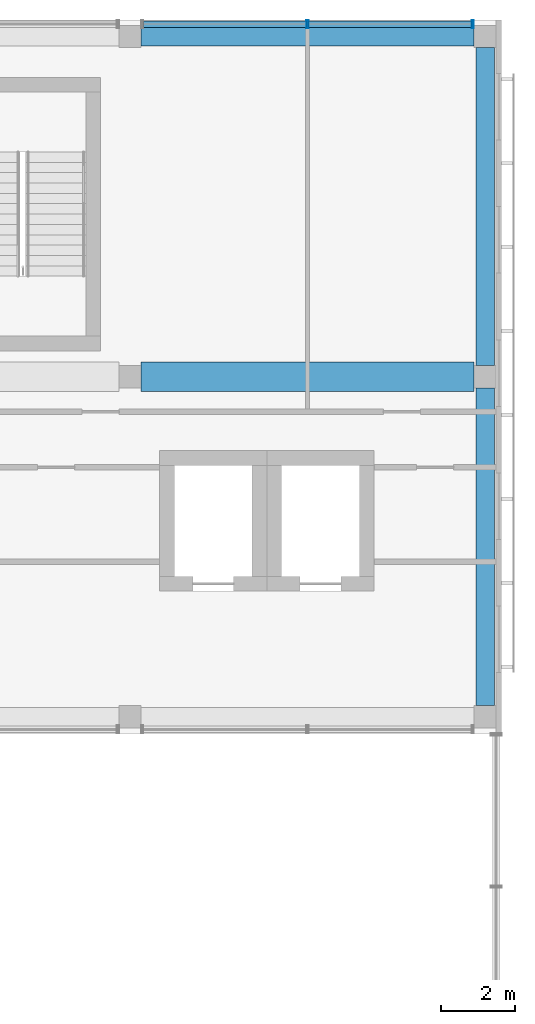
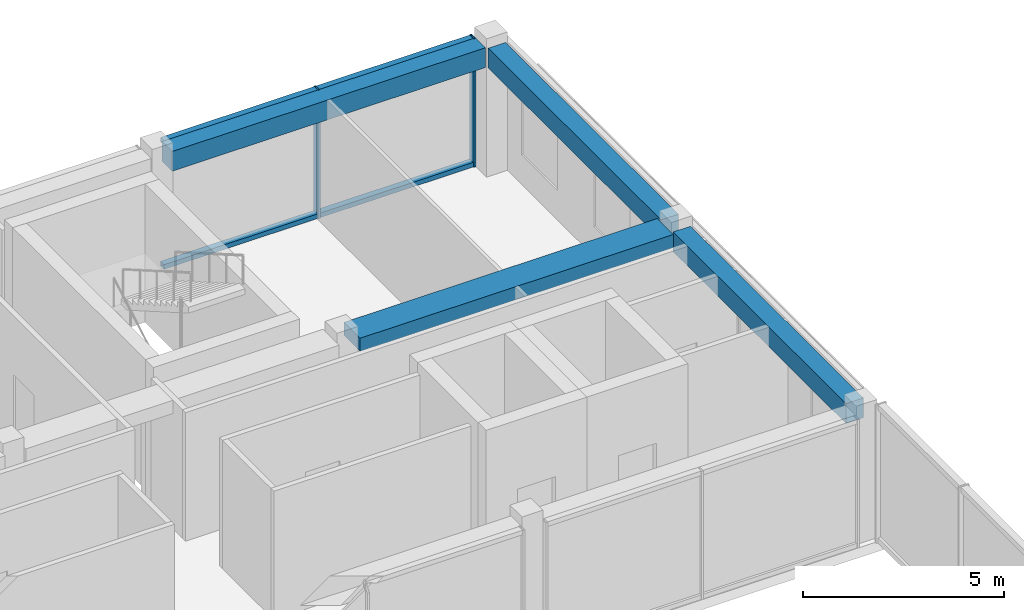
# One storey, part 17 of 28: 6 members, 4 beams, 1 element without a shape of its own.
"""IFC4 building model written with IfcOpenShell, lengths in metres."""

from ifc_helpers import new_model, si_unit, direction, frame, origin, origin_2d, place, context, subcontext, project, spatial, rectangle, hollow_rectangle, extrude, material, layer, layer_set, material_profile, profile_set, type_object, element, aggregate, save


model = new_model("IFC4")

# Units and contexts
model_context = context("Model", 3, precision=1e-05, world=origin(), true_north=direction((0.0, 1.0)))
body_context = subcontext(model_context, "Body", "Model", "MODEL_VIEW")
ifc_project = project(units=[si_unit("LENGTHUNIT", "METRE"), si_unit("AREAUNIT", "SQUARE_METRE"), si_unit("VOLUMEUNIT", "CUBIC_METRE"), si_unit("PLANEANGLEUNIT", "RADIAN"), si_unit("MASSUNIT", "GRAM", prefix="KILO")], contexts=[model_context])

# Site, building, storey
site_placement = place(None, origin())
site = spatial("IfcSite", under=ifc_project, at=site_placement, CompositionType="ELEMENT")
building_placement = place(site_placement, origin())
building = spatial("IfcBuilding", under=site, at=building_placement, Name="Nzadi Deep Aquarium and Research Tower", CompositionType="ELEMENT")
storey_placement = place(building_placement, frame((0.0, 0.0, 73.89990234375)))
storey = spatial("IfcBuildingStorey", under=building, at=storey_placement, Name="L15", CompositionType="ELEMENT", Elevation=73.89990234375)

# Curtain wall, members
ifc_material_1 = material(Name="Aluminium unitised frame deep", Category="aluminium")
ifc_layer = layer(ifc_material_1, 0.22509765625)
ifc_layer_set = layer_set([ifc_layer], Name="Aluminium unitised frame deep")
curtain_wall_type = type_object("IfcCurtainWallType", Name="Curtain wall Unitised Deep 225", PredefinedType="NOTDEFINED", material=ifc_layer_set)
curtain_wall_placement = place(storey_placement, origin())
curtain_wall = element("IfcCurtainWall", 1, at=curtain_wall_placement, inside=storey, type_object=curtain_wall_type, Name="Unitised curtain wall blade B north L15", PredefinedType="NOTDEFINED")
ifc_material_2 = material(Name="Aluminium unitised frame deep", Category="aluminium")
ifc_material_profile_1 = material_profile(ifc_material_2, hollow_rectangle(XDim=0.22509765625, YDim=0.06005859375, WallThickness=0.0048828125, at=origin_2d()))
ifc_profile_set_1 = profile_set([ifc_material_profile_1], Name="Aluminium unitised frame deep")
member_type_1 = type_object("IfcMemberType", Name="Mullion 60x225 Unitised Deep", PredefinedType="MULLION", material=ifc_profile_set_1)
member_1_placement = place(storey_placement, frame((33.60009765625, 46.33740234375, 0.0), z_axis=(0.0, 0.0, 1.0), x_axis=(0.0, 1.0, 0.0)))
member_1 = element("IfcMember", 2, at=member_1_placement, type_object=member_type_1, Name="CW191 mullion 2", PredefinedType="MULLION", context=body_context, shape_type="SweptSolid", body=[
    extrude(hollow_rectangle(XDim=0.22509765625, YDim=0.06005859375, WallThickness=0.0048828125, at=origin_2d()), origin(), (0.0, 0.0, 1.0), 3.900146484375),
])
member_2_placement = place(storey_placement, frame((38.070068359375, 46.33740234375, 0.0), z_axis=(0.0, 0.0, 1.0), x_axis=(0.0, 1.0, 0.0)))
member_2 = element("IfcMember", 3, at=member_2_placement, type_object=member_type_1, Name="CW191 mullion 3", PredefinedType="MULLION", context=body_context, shape_type="SweptSolid", body=[
    extrude(hollow_rectangle(XDim=0.22509765625, YDim=0.06005859375, WallThickness=0.0048828125, at=origin_2d()), origin(), (0.0, 0.0, 1.0), 3.900146484375),
])

# Beams
ifc_material_3 = material(Name="Concrete C35/45", Category="concrete")
ifc_material_profile_2 = material_profile(ifc_material_3, rectangle(XDim=0.5, YDim=0.60009765625, at=origin_2d()))
ifc_profile_set_2 = profile_set([ifc_material_profile_2], Name="Concrete C35/45")
beam_type_1 = type_object("IfcBeamType", Name="RC 500x600", PredefinedType="BEAM", material=ifc_profile_set_2)
beam_1_placement = place(storey_placement, frame((29.10009765625, 46.0, 3.60009765625), z_axis=(1.0, 0.0, 0.0), x_axis=(0.0, 1.0, 0.0)))
element("IfcBeam", 4, at=beam_1_placement, inside=storey, type_object=beam_type_1, Name="B-Z1-L15-L6-4", PredefinedType="BEAM", context=body_context, shape_type="SweptSolid", body=[
    extrude(rectangle(XDim=0.5, YDim=0.60009765625, at=origin_2d()), origin(), (0.0, 0.0, 1.0), 9.0),
])
beam_2_placement = place(storey_placement, frame((38.39990234375, 27.89990234375, 3.60009765625), z_axis=(0.0, 1.0, 0.0), x_axis=(-1.0, 0.0, 0.0)))
element("IfcBeam", 5, at=beam_2_placement, inside=storey, type_object=beam_type_1, Name="B-Z1-L15-CE-1-4", PredefinedType="BEAM", context=body_context, shape_type="SweptSolid", body=[
    extrude(rectangle(XDim=0.5, YDim=0.60009765625, at=origin_2d()), origin(), (0.0, 0.0, 1.0), 8.60009765625),
])
beam_3_placement = place(storey_placement, frame((38.39990234375, 37.10009765625, 3.60009765625), z_axis=(0.0, 1.0, 0.0), x_axis=(-1.0, 0.0, 0.0)))
element("IfcBeam", 6, at=beam_3_placement, inside=storey, type_object=beam_type_1, Name="B-Z1-L15-CE-2-4", PredefinedType="BEAM", context=body_context, shape_type="SweptSolid", body=[
    extrude(rectangle(XDim=0.5, YDim=0.60009765625, at=origin_2d()), origin(), (0.0, 0.0, 1.0), 8.599853515625),
])
ifc_material_4 = material(Name="Concrete C35/45", Category="concrete")
ifc_material_profile_3 = material_profile(ifc_material_4, rectangle(XDim=0.800048828125, YDim=0.39990234375, at=origin_2d()))
ifc_profile_set_3 = profile_set([ifc_material_profile_3], Name="Concrete C35/45")
beam_type_2 = type_object("IfcBeamType", Name="RC 800x400", PredefinedType="BEAM", material=ifc_profile_set_3)
beam_4_placement = place(storey_placement, frame((29.10009765625, 36.800048828125, 3.7001953125), z_axis=(1.0, 0.0, 0.0), x_axis=(0.0, 1.0, 0.0)))
element("IfcBeam", 7, at=beam_4_placement, inside=storey, type_object=beam_type_2, Name="B-Z1-L15-L5-4", PredefinedType="BEAM", context=body_context, shape_type="SweptSolid", body=[
    extrude(rectangle(XDim=0.800048828125, YDim=0.39990234375, at=origin_2d()), origin(), (0.0, 0.0, 1.0), 9.0),
])

# Member
ifc_material_5 = material(Name="Aluminium unitised frame deep", Category="aluminium")
ifc_material_profile_4 = material_profile(ifc_material_5, hollow_rectangle(XDim=0.179931640625, YDim=0.139892578125, WallThickness=0.0048828125, at=origin_2d()))
ifc_profile_set_4 = profile_set([ifc_material_profile_4], Name="Aluminium unitised frame deep")
member_type_2 = type_object("IfcMemberType", Name="Transom 140x180 Unitised Deep", PredefinedType="MULLION", material=ifc_profile_set_4)
member_3_placement = place(storey_placement, frame((29.159912109375, 46.33740234375, 0.070068359375), z_axis=(1.0, 0.0, 0.0), x_axis=(0.0, 1.0, 0.0)))
member_3 = element("IfcMember", 8, at=member_3_placement, type_object=member_type_2, Name="CW191 transom 1.1", PredefinedType="MULLION", context=body_context, shape_type="SweptSolid", body=[
    extrude(hollow_rectangle(XDim=0.179931640625, YDim=0.139892578125, WallThickness=0.0048828125, at=origin_2d()), origin(), (0.0, 0.0, 1.0), 4.41015625),
])

member_4_placement = place(storey_placement, frame((29.159912109375, 46.33740234375, 3.830078125), z_axis=(1.0, 0.0, 0.0), x_axis=(0.0, 1.0, 0.0)))
member_4 = element("IfcMember", 9, at=member_4_placement, type_object=member_type_2, Name="CW191 transom 1.2", PredefinedType="MULLION", context=body_context, shape_type="SweptSolid", body=[
    extrude(hollow_rectangle(XDim=0.179931640625, YDim=0.139892578125, WallThickness=0.0048828125, at=origin_2d()), origin(), (0.0, 0.0, 1.0), 4.41015625),
])

member_5_placement = place(storey_placement, frame((33.6298828125, 46.33740234375, 0.070068359375), z_axis=(1.0, 0.0, 0.0), x_axis=(0.0, 1.0, 0.0)))
member_5 = element("IfcMember", 10, at=member_5_placement, type_object=member_type_2, Name="CW191 transom 2.1", PredefinedType="MULLION", context=body_context, shape_type="SweptSolid", body=[
    extrude(hollow_rectangle(XDim=0.179931640625, YDim=0.139892578125, WallThickness=0.0048828125, at=origin_2d()), origin(), (0.0, 0.0, 1.0), 4.41015625),
])

member_6_placement = place(storey_placement, frame((33.6298828125, 46.33740234375, 3.830078125), z_axis=(1.0, 0.0, 0.0), x_axis=(0.0, 1.0, 0.0)))
member_6 = element("IfcMember", 11, at=member_6_placement, type_object=member_type_2, Name="CW191 transom 2.2", PredefinedType="MULLION", context=body_context, shape_type="SweptSolid", body=[
    extrude(hollow_rectangle(XDim=0.179931640625, YDim=0.139892578125, WallThickness=0.0048828125, at=origin_2d()), origin(), (0.0, 0.0, 1.0), 4.41015625),
])

aggregate(curtain_wall, [member_1, member_2, member_3, member_4, member_5, member_6])

save(model, "model.ifc")
